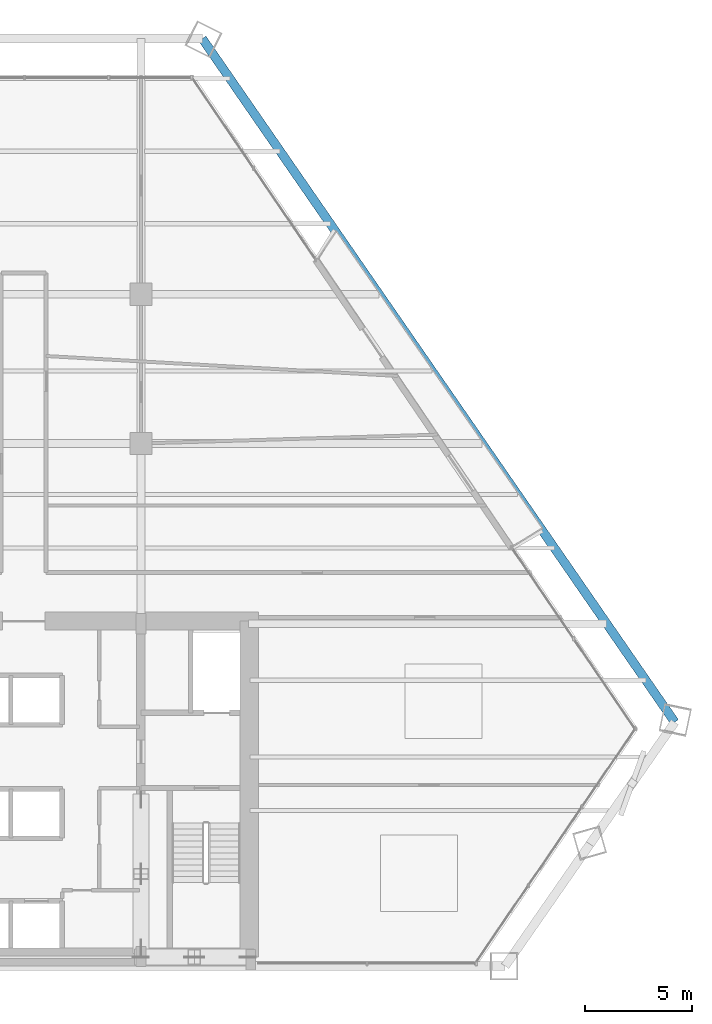
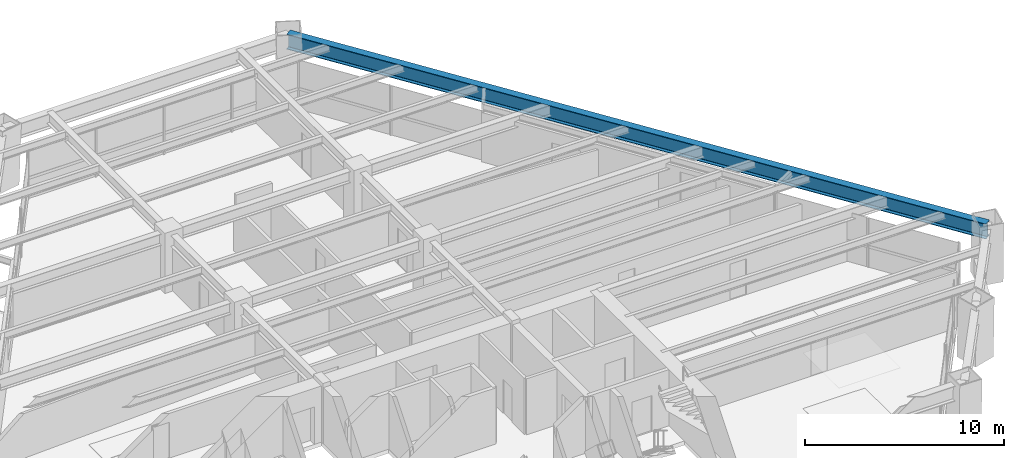
# One storey, part 7 of 14: 1 beam.
"""IFC4 building model written with IfcOpenShell, lengths in metres."""

from ifc_helpers import new_model, si_unit, direction, frame, origin, origin_2d, place, context, subcontext, project, spatial, i_section, extrude, source, transform, mapped, material, material_profile, profile_set, type_object, element, save


model = new_model("IFC4")

# Units and contexts
model_context = context("Model", 3, precision=1e-05, world=origin(), true_north=direction((0.0, 1.0)))
body_context = subcontext(model_context, "Body", "Model", "MODEL_VIEW")
ifc_project = project(units=[si_unit("LENGTHUNIT", "METRE"), si_unit("AREAUNIT", "SQUARE_METRE"), si_unit("VOLUMEUNIT", "CUBIC_METRE"), si_unit("PLANEANGLEUNIT", "RADIAN"), si_unit("MASSUNIT", "GRAM", prefix="KILO")], contexts=[model_context])

# Site, building, storey
site_placement = place(None, origin())
site = spatial("IfcSite", under=ifc_project, at=site_placement, CompositionType="ELEMENT")
building_placement = place(site_placement, origin())
building = spatial("IfcBuilding", under=site, at=building_placement, Name="Varnakhor Terracotta Tower", CompositionType="ELEMENT")
storey_placement = place(building_placement, frame((0.0, 0.0, 31.199951171875)))
storey = spatial("IfcBuildingStorey", under=building, at=storey_placement, Name="L06", CompositionType="ELEMENT", Elevation=31.199951171875)

# Beam
ifc_material = material(Name="Steel S355", Category="steel")
ifc_material_profile = material_profile(ifc_material, i_section(OverallWidth=0.41796875, OverallDepth=0.927001953125, WebThickness=0.01904296875, FlangeThickness=0.031982421875, FilletRadius=0.01806640625, at=origin_2d()), Name="W36X231")
ifc_profile_set = profile_set([ifc_material_profile], Name="Steel S355")
beam_type = type_object("IfcBeamType", Name="BM-W36X231", PredefinedType="BEAM", material=ifc_profile_set)
shared_shape = source(origin(), body_context, "Body", "SweptSolid", [
    extrude(i_section(OverallWidth=0.41796875, OverallDepth=0.927001953125, WebThickness=0.01904296875, FlangeThickness=0.031982421875, FilletRadius=0.01806640625, at=origin_2d()), origin(), (0.0, 0.0, 1.0), 38.950927734375),
])
beam_placement = place(storey_placement, frame((30.521484375, 11.4365234375, 2.986572265625), z_axis=(-0.56860457165, 0.82261099014, 0.0), x_axis=(-0.82261099014, -0.56860457165, 0.0)))
element("IfcBeam", 1, at=beam_placement, inside=storey, type_object=beam_type, Name="L06 Perimeter Spandrel 4", PredefinedType="BEAM", context=body_context, shape_type="MappedRepresentation", body=[
    mapped(shared_shape, transform((0.0, 0.0, 0.0), scale=1.0)),
])

save(model, "model.ifc")
